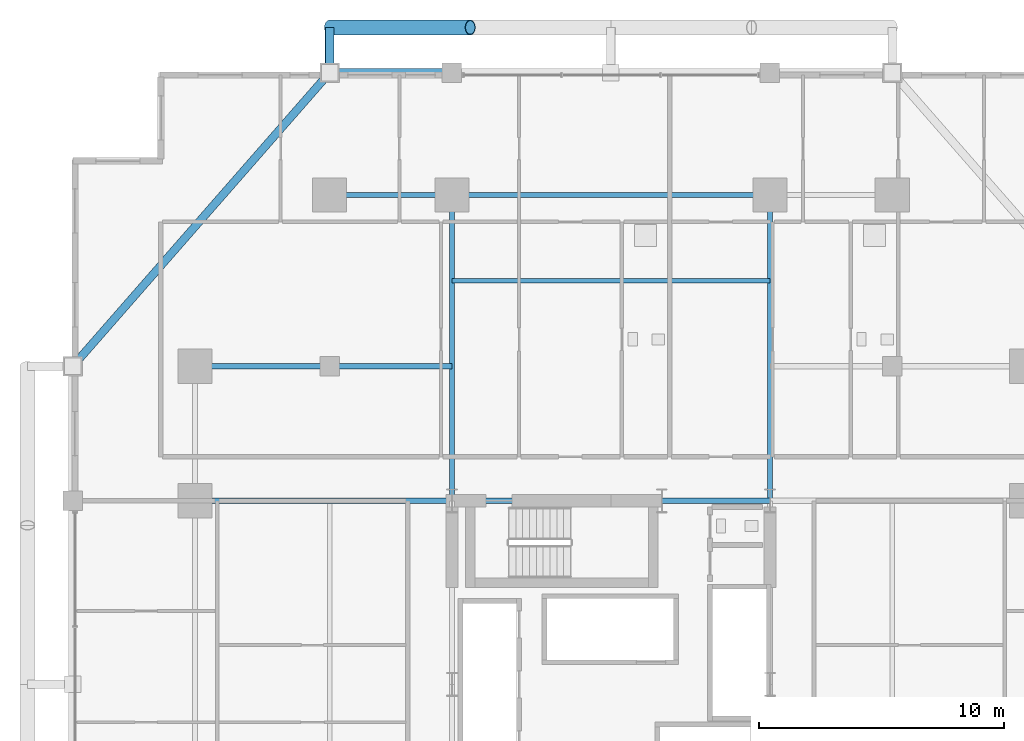
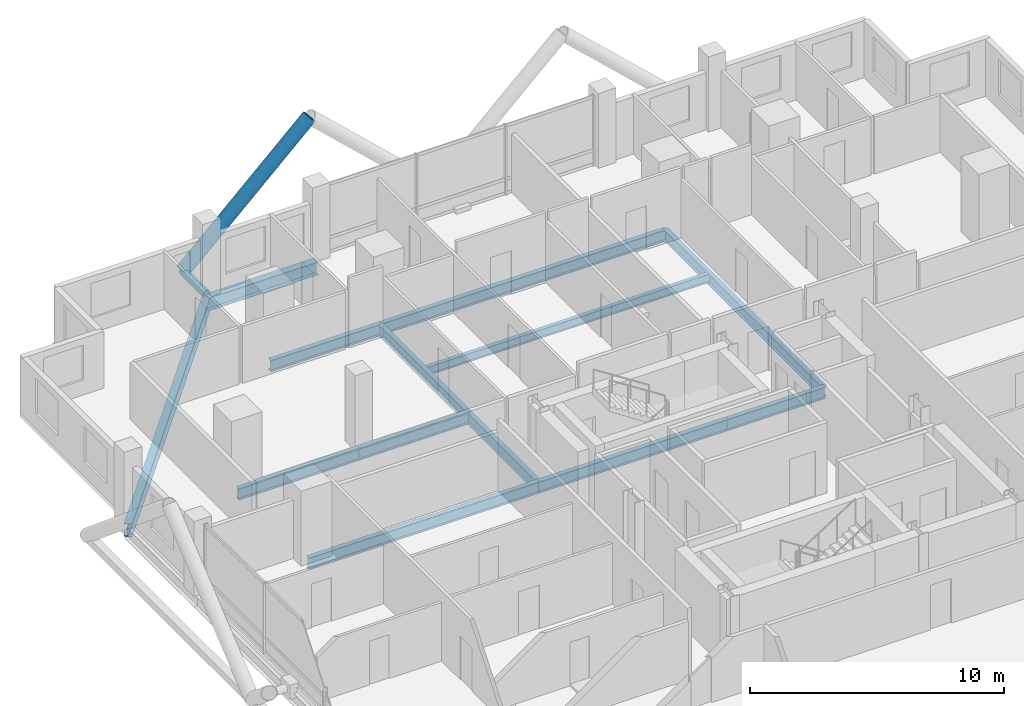
# One storey, part 14 of 27: 12 beams, 2 members.
"""IFC4 building model written with IfcOpenShell, lengths in metres."""

from ifc_helpers import new_model, si_unit, direction, frame, origin, origin_2d, place, context, subcontext, project, spatial, hollow_circle, i_section, extrude, material, material_profile, profile_set, type_object, element, save


model = new_model("IFC4")

# Units and contexts
model_context = context("Model", 3, precision=1e-05, world=origin(), true_north=direction((0.0, 1.0)))
body_context = subcontext(model_context, "Body", "Model", "MODEL_VIEW")
ifc_project = project(units=[si_unit("LENGTHUNIT", "METRE"), si_unit("AREAUNIT", "SQUARE_METRE"), si_unit("VOLUMEUNIT", "CUBIC_METRE"), si_unit("PLANEANGLEUNIT", "RADIAN"), si_unit("MASSUNIT", "GRAM", prefix="KILO")], contexts=[model_context])

# Site, building, storey
site_placement = place(None, origin())
site = spatial("IfcSite", under=ifc_project, at=site_placement, CompositionType="ELEMENT")
building_placement = place(site_placement, origin())
building = spatial("IfcBuilding", under=site, at=building_placement, Name="Barlavira Tower and Art Museum", CompositionType="ELEMENT")
storey_placement = place(building_placement, frame((0.0, 0.0, 61.199951171875)))
storey = spatial("IfcBuildingStorey", under=building, at=storey_placement, Name="L14", CompositionType="ELEMENT", Elevation=61.199951171875)

# Members
ifc_material = material(Name="Steel S355", Category="steel")
ifc_material_profile_1 = material_profile(ifc_material, hollow_circle(Radius=0.304931640625, WallThickness=0.028076171875, at=origin_2d()), Name="CHS 610.0x28.0")
ifc_profile_set_1 = profile_set([ifc_material_profile_1], Name="Steel S355")
member_type_1 = type_object("IfcMemberType", Name="Pale-Metal Exoskeleton Diagrid Tube CHS 610x28 Steel S355", PredefinedType="BRACE", material=ifc_profile_set_1)
member_1_placement = place(storey_placement, frame((-11.5, 26.85009765625, -0.119873046875), z_axis=(0.728950095515, 0.0, 0.684566839869), x_axis=(0.0, 1.0, 0.0)))
element("IfcMember", 1, at=member_1_placement, inside=storey, type_object=member_type_1, Name="L14 Exoskeleton Diagrid Tube N", PredefinedType="BRACE", context=body_context, shape_type="SweptSolid", body=[
    extrude(hollow_circle(Radius=0.304931640625, WallThickness=0.028076171875, at=origin_2d()), origin(), (0.0, 0.0, 1.0), 7.887939453125),
])
ifc_material_profile_2 = material_profile(ifc_material, hollow_circle(Radius=0.177734375, WallThickness=0.01611328125, at=origin_2d()), Name="CHS 355.6x16.0")
ifc_profile_set_2 = profile_set([ifc_material_profile_2], Name="Steel S355")
member_type_2 = type_object("IfcMemberType", Name="Pale-Metal Exoskeleton Tie Strut CHS 356x16 Steel S355", PredefinedType="STRUT", material=ifc_profile_set_2)
member_2_placement = place(storey_placement, frame((-11.5, 26.85009765625, -0.119873046875), z_axis=(0.0, -1.0, 0.0), x_axis=(1.0, 0.0, 0.0)))
element("IfcMember", 2, at=member_2_placement, inside=storey, type_object=member_type_2, Name="L14 Exoskeleton Tie Strut N1", PredefinedType="STRUT", context=body_context, shape_type="SweptSolid", body=[
    extrude(hollow_circle(Radius=0.177734375, WallThickness=0.01611328125, at=origin_2d()), origin(), (0.0, 0.0, 1.0), 1.85009765625),
])

# Beams
ifc_material_profile_3 = material_profile(ifc_material, i_section(OverallWidth=0.327880859375, OverallDepth=0.62890625, WebThickness=0.013916015625, FlangeThickness=0.021484375, at=origin_2d()), Name="W610x174.0")
ifc_profile_set_3 = profile_set([ifc_material_profile_3], Name="Steel S355")
beam_type_1 = type_object("IfcBeamType", Name="Perimeter Spandrel Edge Beam W610x174 Steel S355", PredefinedType="SPANDREL", material=ifc_profile_set_3)
beam_1_placement = place(storey_placement, frame((-11.5, 25.0, -0.534423828125), z_axis=(1.0, 0.0, 0.0), x_axis=(0.0, 1.0, 0.0)))
element("IfcBeam", 3, at=beam_1_placement, inside=storey, type_object=beam_type_1, Name="L14 Spandrel 11", PredefinedType="SPANDREL", context=body_context, shape_type="SweptSolid", body=[
    extrude(i_section(OverallWidth=0.327880859375, OverallDepth=0.62890625, WebThickness=0.013916015625, FlangeThickness=0.021484375, at=origin_2d()), origin(), (0.0, 0.0, 1.0), 5.0),
])
beam_2_placement = place(storey_placement, frame((-11.5, 25.0, -0.534423828125), z_axis=(-0.658504607869, -0.752576694707, 0.0), x_axis=(0.752576694707, -0.658504607869, 0.0)))
element("IfcBeam", 4, at=beam_2_placement, inside=storey, type_object=beam_type_1, Name="L14 Spandrel 12", PredefinedType="SPANDREL", context=body_context, shape_type="SweptSolid", body=[
    extrude(i_section(OverallWidth=0.327880859375, OverallDepth=0.62890625, WebThickness=0.013916015625, FlangeThickness=0.021484375, at=origin_2d()), origin(), (0.0, 0.0, 1.0), 15.9453125),
])
ifc_material_profile_4 = material_profile(ifc_material, i_section(OverallWidth=0.180908203125, OverallDepth=0.4169921875, WebThickness=0.010986328125, FlangeThickness=0.018310546875, at=origin_2d()), Name="W410x85.0")
ifc_profile_set_4 = profile_set([ifc_material_profile_4], Name="Steel S355")
beam_type_2 = type_object("IfcBeamType", Name="Zone 1 Composite Floor Joist W410x85 Steel S355", PredefinedType="JOIST", material=ifc_profile_set_4)
beam_3_placement = place(storey_placement, frame((-6.5, 16.5, -0.428466796875), z_axis=(1.0, 0.0, 0.0), x_axis=(0.0, 1.0, 0.0)))
element("IfcBeam", 5, at=beam_3_placement, inside=storey, type_object=beam_type_2, Name="L14 Joist C2", PredefinedType="JOIST", context=body_context, shape_type="SweptSolid", body=[
    extrude(i_section(OverallWidth=0.180908203125, OverallDepth=0.4169921875, WebThickness=0.010986328125, FlangeThickness=0.018310546875, at=origin_2d()), origin(), (0.0, 0.0, 1.0), 13.0),
])
ifc_material_profile_5 = material_profile(ifc_material, i_section(OverallWidth=0.214111328125, OverallDepth=0.549072265625, WebThickness=0.0146484375, FlangeThickness=0.023681640625, at=origin_2d()), Name="W530x138.0")
ifc_profile_set_5 = profile_set([ifc_material_profile_5], Name="Steel S355")
beam_type_3 = type_object("IfcBeamType", Name="Zone 1 Primary Floor Girder W530x138 Steel S355", PredefinedType="BEAM", material=ifc_profile_set_5)
beam_4_placement = place(storey_placement, frame((-6.5, 7.5, -0.494384765625), z_axis=(1.0, 0.0, 0.0), x_axis=(0.0, 1.0, 0.0)))
element("IfcBeam", 6, at=beam_4_placement, inside=storey, type_object=beam_type_3, Name="L14 Girder C-N1", PredefinedType="BEAM", context=body_context, shape_type="SweptSolid", body=[
    extrude(i_section(OverallWidth=0.214111328125, OverallDepth=0.549072265625, WebThickness=0.0146484375, FlangeThickness=0.023681640625, at=origin_2d()), origin(), (0.0, 0.0, 1.0), 8.580078125),
])
beam_5_placement = place(storey_placement, frame((2.080078125, 7.5, -0.494384765625), z_axis=(1.0, 0.0, 0.0), x_axis=(0.0, 1.0, 0.0)))
element("IfcBeam", 7, at=beam_5_placement, inside=storey, type_object=beam_type_3, Name="L14 Girder C-N2", PredefinedType="BEAM", context=body_context, shape_type="SweptSolid", body=[
    extrude(i_section(OverallWidth=0.214111328125, OverallDepth=0.549072265625, WebThickness=0.0146484375, FlangeThickness=0.023681640625, at=origin_2d()), origin(), (0.0, 0.0, 1.0), 4.419921875),
])
beam_6_placement = place(storey_placement, frame((-11.5, 20.0, -0.494384765625), z_axis=(1.0, 0.0, 0.0), x_axis=(0.0, 1.0, 0.0)))
element("IfcBeam", 8, at=beam_6_placement, inside=storey, type_object=beam_type_3, Name="L14 Girder M-N1", PredefinedType="BEAM", context=body_context, shape_type="SweptSolid", body=[
    extrude(i_section(OverallWidth=0.214111328125, OverallDepth=0.549072265625, WebThickness=0.0146484375, FlangeThickness=0.023681640625, at=origin_2d()), origin(), (0.0, 0.0, 1.0), 5.0),
])
beam_7_placement = place(storey_placement, frame((-6.5, 20.0, -0.494384765625), z_axis=(1.0, 0.0, 0.0), x_axis=(0.0, 1.0, 0.0)))
element("IfcBeam", 9, at=beam_7_placement, inside=storey, type_object=beam_type_3, Name="L14 Girder M-N2", PredefinedType="BEAM", context=body_context, shape_type="SweptSolid", body=[
    extrude(i_section(OverallWidth=0.214111328125, OverallDepth=0.549072265625, WebThickness=0.0146484375, FlangeThickness=0.023681640625, at=origin_2d()), origin(), (0.0, 0.0, 1.0), 13.0),
])
for number, where, z_axis, x_axis, name in (
    (10, (-6.5, 7.5, -0.494384765625), (0.0, 1.0, 0.0), (-1.0, 0.0, 0.0), "L14 Girder R-N1"),
    (11, (6.5, 7.5, -0.494384765625), (0.0, 1.0, 0.0), (-1.0, 0.0, 0.0), "L14 Girder R-N2"),
):
    element("IfcBeam", number, at=place(storey_placement, frame(where, z_axis=z_axis, x_axis=x_axis)), inside=storey, type_object=beam_type_3, Name=name, PredefinedType="BEAM", context=body_context, shape_type="SweptSolid", body=[
        extrude(i_section(OverallWidth=0.214111328125, OverallDepth=0.549072265625, WebThickness=0.0146484375, FlangeThickness=0.023681640625, at=origin_2d()), origin(), (0.0, 0.0, 1.0), 12.5),
    ])
beam_8_placement = place(storey_placement, frame((-17.0, 7.5, -0.494384765625), z_axis=(1.0, 0.0, 0.0), x_axis=(0.0, 1.0, 0.0)))
element("IfcBeam", 12, at=beam_8_placement, inside=storey, type_object=beam_type_3, Name="L14 Girder R-W2", PredefinedType="BEAM", context=body_context, shape_type="SweptSolid", body=[
    extrude(i_section(OverallWidth=0.214111328125, OverallDepth=0.549072265625, WebThickness=0.0146484375, FlangeThickness=0.023681640625, at=origin_2d()), origin(), (0.0, 0.0, 1.0), 10.5),
])
beam_9_placement = place(storey_placement, frame((-17.0, 13.0, -0.494384765625), z_axis=(1.0, 0.0, 0.0), x_axis=(0.0, 1.0, 0.0)))
element("IfcBeam", 13, at=beam_9_placement, inside=storey, type_object=beam_type_3, Name="L14 Girder I-N1", PredefinedType="BEAM", context=body_context, shape_type="SweptSolid", body=[
    extrude(i_section(OverallWidth=0.214111328125, OverallDepth=0.549072265625, WebThickness=0.0146484375, FlangeThickness=0.023681640625, at=origin_2d()), origin(), (0.0, 0.0, 1.0), 5.5),
])
beam_10_placement = place(storey_placement, frame((-11.5, 13.0, -0.494384765625), z_axis=(1.0, 0.0, 0.0), x_axis=(0.0, 1.0, 0.0)))
element("IfcBeam", 14, at=beam_10_placement, inside=storey, type_object=beam_type_3, Name="L14 Girder I-N2", PredefinedType="BEAM", context=body_context, shape_type="SweptSolid", body=[
    extrude(i_section(OverallWidth=0.214111328125, OverallDepth=0.549072265625, WebThickness=0.0146484375, FlangeThickness=0.023681640625, at=origin_2d()), origin(), (0.0, 0.0, 1.0), 5.0),
])

save(model, "model.ifc")
